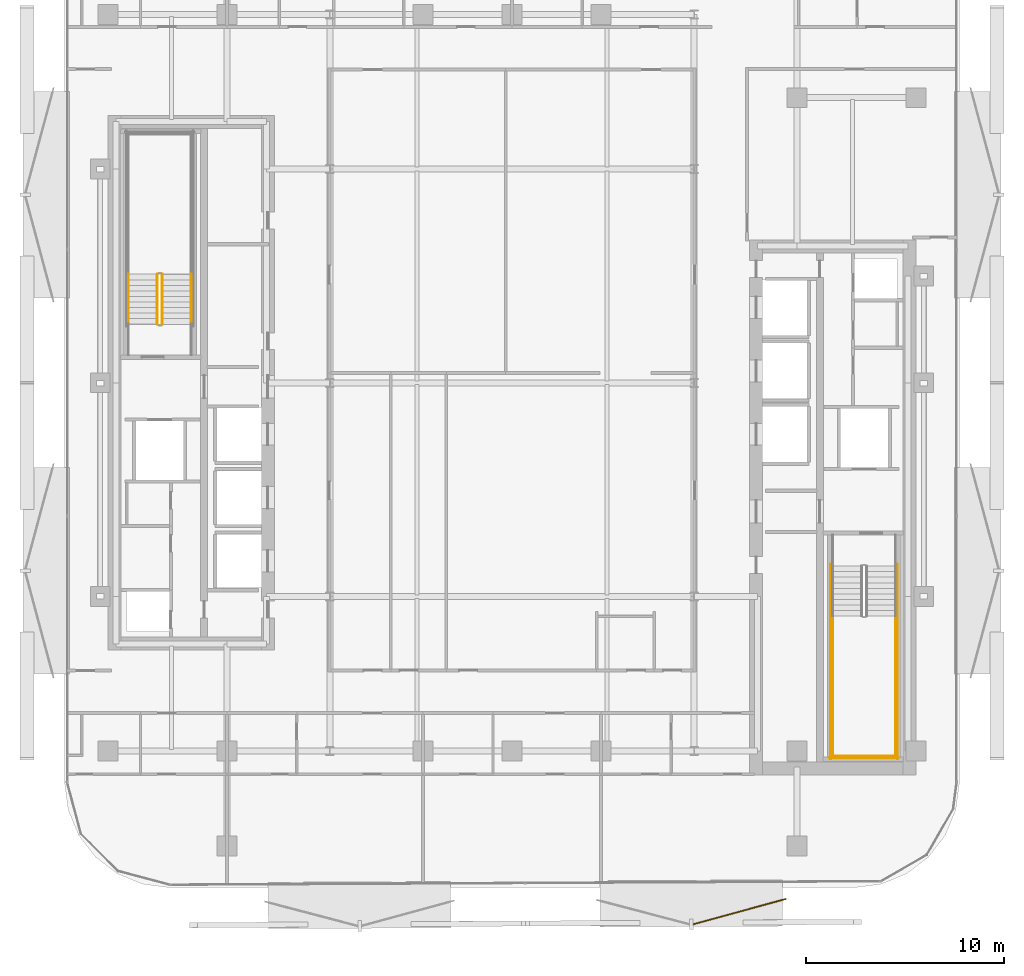
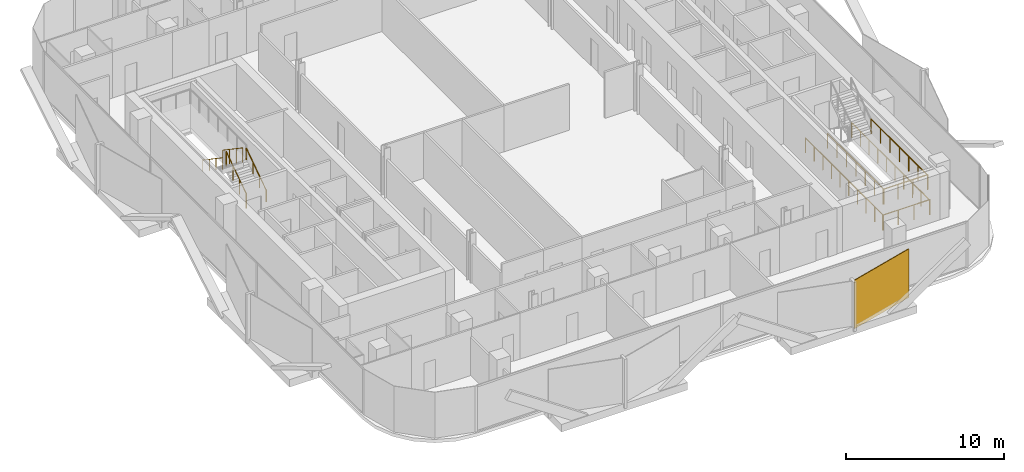
# One storey, part 14 of 17: 10 railings, 1 covering.
"""IFC4 building model written with IfcOpenShell, lengths in metres."""

from ifc_helpers import new_model, si_unit, direction, frame, origin, origin_2d, place, context, subcontext, project, spatial, rectangle, circle, extrude, material, layer, layer_set, type_object, element, save


model = new_model("IFC4")

# Units and contexts
model_context = context("Model", 3, precision=1e-05, world=origin(), true_north=direction((0.0, 1.0)))
body_context = subcontext(model_context, "Body", "Model", "MODEL_VIEW")
ifc_project = project(units=[si_unit("LENGTHUNIT", "METRE"), si_unit("AREAUNIT", "SQUARE_METRE"), si_unit("VOLUMEUNIT", "CUBIC_METRE"), si_unit("PLANEANGLEUNIT", "RADIAN"), si_unit("MASSUNIT", "GRAM", prefix="KILO")], contexts=[model_context])

# Site, building, storey
site_placement = place(None, origin())
site = spatial("IfcSite", under=ifc_project, at=site_placement, CompositionType="ELEMENT")
building_placement = place(site_placement, origin())
building = spatial("IfcBuilding", under=site, at=building_placement, Name="Khairoan Windgate Tower", CompositionType="ELEMENT")
storey_placement = place(building_placement, frame((0.0, 0.0, 180.199951171875)))
storey = spatial("IfcBuildingStorey", under=building, at=storey_placement, Name="L41", CompositionType="ELEMENT", Elevation=180.199951171875)

# Covering
ifc_material_1 = material(Name="Anodised Bronze Aluminium 6063-T6", Category="aluminium")
ifc_layer = layer(ifc_material_1, 0.054931640625, Name="Anodised Bronze Aluminium 6063-T6")
ifc_layer_set = layer_set([ifc_layer], Name="Anodised Bronze Aluminium 6063-T6")
covering_type = type_object("IfcCoveringType", Name="Perforated Bronze-Ceramic Folded Solar Screen Cladding BSC-1", PredefinedType="CLADDING", material=ifc_layer_set)
covering_placement = place(storey_placement, frame((11.498779296875, -26.708984375, -0.10009765625), z_axis=(0.0, 0.0, 1.0), x_axis=(-0.964649468762, -0.263536339841, 0.0)))
element("IfcCovering", 1, at=covering_placement, inside=storey, type_object=covering_type, Name="L41 Folded Bronze Solar Screen Facet 265L", PredefinedType="CLADDING", context=body_context, shape_type="SweptSolid", body=[
    extrude(rectangle(XDim=4.861083984375, YDim=0.054931640625, at=origin_2d()), origin(), (0.0, 0.0, 1.0), 3.739990234375),
])

# Railings
ifc_material_2 = material(Name="Anodised Bronze Aluminium 6063-T6", Category="aluminium")
railing_type_1 = type_object("IfcRailingType", Name="Stair Wall Handrail SHR-900", PredefinedType="HANDRAIL", material=ifc_material_2)
railing_1_placement = place(storey_placement, frame((-16.199951171875, 2.9599609375, 0.18994140625)))
element("IfcRailing", 2, at=railing_1_placement, inside=storey, type_object=railing_type_1, Name="L41 ST2 stair handrail 1", PredefinedType="HANDRAIL", context=body_context, shape_type="SweptSolid", body=[
    extrude(circle(Radius=0.02392578125, at=origin_2d()), frame((0.0, 0.0, 0.8759765625), z_axis=(0.0, 0.82744650838, 0.561544544778), x_axis=(-1.0, 0.0, 0.0)), (0.0, 0.0, 1.0), 3.045654296875),
    extrude(circle(Radius=0.02099609375, at=origin_2d()), origin(), (0.0, 0.0, 1.0), 0.851806640625),
    extrude(circle(Radius=0.02099609375, at=origin_2d()), frame((0.0, 0.840087890625, 0.570068359375)), (0.0, 0.0, 1.0), 0.851806640625),
    extrude(circle(Radius=0.02099609375, at=origin_2d()), frame((0.0, 1.679931640625, 1.14013671875)), (0.0, 0.0, 1.0), 0.851806640625),
    extrude(circle(Radius=0.02099609375, at=origin_2d()), frame((0.0, 2.52001953125, 1.710205078125)), (0.0, 0.0, 1.0), 0.851806640625),
])
railing_2_placement = place(storey_placement, frame((-19.3701171875, 5.47998046875, 2.090087890625)))
element("IfcRailing", 3, at=railing_2_placement, inside=storey, type_object=railing_type_1, Name="L41 ST2 stair handrail 2", PredefinedType="HANDRAIL", context=body_context, shape_type="SweptSolid", body=[
    extrude(circle(Radius=0.02392578125, at=origin_2d()), frame((0.0, 0.0, 0.8759765625), z_axis=(0.0, -0.827483756001, 0.561489655786), x_axis=(1.0, 0.0, 0.0)), (0.0, 0.0, 1.0), 3.04541015625),
    extrude(circle(Radius=0.02099609375, at=origin_2d()), origin(), (0.0, 0.0, 1.0), 0.851806640625),
    extrude(circle(Radius=0.02099609375, at=origin_2d()), frame((0.0, -0.840087890625, 0.570068359375)), (0.0, 0.0, 1.0), 0.851806640625),
    extrude(circle(Radius=0.02099609375, at=origin_2d()), frame((0.0, -1.679931640625, 1.139892578125)), (0.0, 0.0, 1.0), 0.851806640625),
    extrude(circle(Radius=0.02099609375, at=origin_2d()), frame((0.0, -2.52001953125, 1.7099609375)), (0.0, 0.0, 1.0), 0.851806640625),
])
ifc_material_3 = material(Name="Steel S355", Category="steel")
railing_type_2 = type_object("IfcRailingType", Name="Stairwell Safety Guardrail SGR-1150", PredefinedType="GUARDRAIL", material=ifc_material_3)
for number, where, name in (
    (4, (16.199951171875, -11.780029296875, 1.900146484375), "L41 ST1 stair guard 3"),
    (5, (19.3701171875, -11.780029296875, 1.900146484375), "L41 ST1 stair guard 4"),
):
    element("IfcRailing", number, at=place(storey_placement, frame(where)), inside=storey, type_object=railing_type_2, Name=name, PredefinedType="GUARDRAIL", context=body_context, shape_type="SweptSolid", body=[
        extrude(circle(Radius=0.02392578125, at=origin_2d()), frame((0.0, 0.0, 1.1259765625), z_axis=(0.0, -1.0, 0.0), x_axis=(1.0, 0.0, 0.0)), (0.0, 0.0, 1.0), 7.119873046875),
        extrude(circle(Radius=0.02099609375, at=origin_2d()), origin(), (0.0, 0.0, 1.0), 1.101806640625),
        extrude(circle(Radius=0.02099609375, at=origin_2d()), frame((0.0, -1.1865234375, 0.0)), (0.0, 0.0, 1.0), 1.101806640625),
        extrude(circle(Radius=0.02099609375, at=origin_2d()), frame((0.0, -2.373291015625, 0.0)), (0.0, 0.0, 1.0), 1.101806640625),
        extrude(circle(Radius=0.02099609375, at=origin_2d()), frame((0.0, -3.56005859375, 0.0)), (0.0, 0.0, 1.0), 1.101806640625),
        extrude(circle(Radius=0.02099609375, at=origin_2d()), frame((0.0, -4.74658203125, 0.0)), (0.0, 0.0, 1.0), 1.101806640625),
        extrude(circle(Radius=0.02099609375, at=origin_2d()), frame((0.0, -5.93310546875, 0.0)), (0.0, 0.0, 1.0), 1.101806640625),
        extrude(circle(Radius=0.02099609375, at=origin_2d()), frame((0.0, -7.119873046875, 0.0)), (0.0, 0.0, 1.0), 1.101806640625),
    ])
railing_3_placement = place(storey_placement, frame((16.14990234375, -18.85009765625, 1.900146484375)))
element("IfcRailing", 6, at=railing_3_placement, inside=storey, type_object=railing_type_2, Name="L41 ST1 stair guard 5", PredefinedType="GUARDRAIL", context=body_context, shape_type="SweptSolid", body=[
    extrude(circle(Radius=0.02392578125, at=origin_2d()), frame((0.0, 0.0, 1.1259765625), z_axis=(1.0, 0.0, 0.0), x_axis=(0.0, 1.0, 0.0)), (0.0, 0.0, 1.0), 3.27001953125),
    extrude(circle(Radius=0.02099609375, at=origin_2d()), origin(), (0.0, 0.0, 1.0), 1.101806640625),
    extrude(circle(Radius=0.02099609375, at=origin_2d()), frame((1.090087890625, 0.0, 0.0)), (0.0, 0.0, 1.0), 1.101806640625),
    extrude(circle(Radius=0.02099609375, at=origin_2d()), frame((2.179931640625, 0.0, 0.0)), (0.0, 0.0, 1.0), 1.101806640625),
    extrude(circle(Radius=0.02099609375, at=origin_2d()), frame((3.27001953125, 0.0, 0.0)), (0.0, 0.0, 1.0), 1.101806640625),
])
for number, where, name in (
    (7, (16.10009765625, -9.159912109375, 0.0), "L41 ST1 stair guard 10"),
    (8, (19.469970703125, -9.159912109375, 0.0), "L41 ST1 stair guard 11"),
):
    element("IfcRailing", number, at=place(storey_placement, frame(where)), inside=storey, type_object=railing_type_2, Name=name, PredefinedType="GUARDRAIL", context=body_context, shape_type="SweptSolid", body=[
        extrude(circle(Radius=0.02392578125, at=origin_2d()), frame((0.0, 0.0, 1.1259765625), z_axis=(0.0, -1.0, 0.0), x_axis=(1.0, 0.0, 0.0)), (0.0, 0.0, 1.0), 9.840087890625),
        extrude(circle(Radius=0.02099609375, at=origin_2d()), origin(), (0.0, 0.0, 1.0), 1.101806640625),
        extrude(circle(Radius=0.02099609375, at=origin_2d()), frame((0.0, -1.09326171875, 0.0)), (0.0, 0.0, 1.0), 1.101806640625),
        extrude(circle(Radius=0.02099609375, at=origin_2d()), frame((0.0, -2.186767578125, 0.0)), (0.0, 0.0, 1.0), 1.101806640625),
        extrude(circle(Radius=0.02099609375, at=origin_2d()), frame((0.0, -3.280029296875, 0.0)), (0.0, 0.0, 1.0), 1.101806640625),
        extrude(circle(Radius=0.02099609375, at=origin_2d()), frame((0.0, -4.373291015625, 0.0)), (0.0, 0.0, 1.0), 1.101806640625),
        extrude(circle(Radius=0.02099609375, at=origin_2d()), frame((0.0, -5.466796875, 0.0)), (0.0, 0.0, 1.0), 1.101806640625),
        extrude(circle(Radius=0.02099609375, at=origin_2d()), frame((0.0, -6.56005859375, 0.0)), (0.0, 0.0, 1.0), 1.101806640625),
        extrude(circle(Radius=0.02099609375, at=origin_2d()), frame((0.0, -7.6533203125, 0.0)), (0.0, 0.0, 1.0), 1.101806640625),
        extrude(circle(Radius=0.02099609375, at=origin_2d()), frame((0.0, -8.746826171875, 0.0)), (0.0, 0.0, 1.0), 1.101806640625),
        extrude(circle(Radius=0.02099609375, at=origin_2d()), frame((0.0, -9.840087890625, 0.0)), (0.0, 0.0, 1.0), 1.101806640625),
    ])
railing_4_placement = place(storey_placement, frame((16.050048828125, -18.949951171875, 0.0)))
element("IfcRailing", 9, at=railing_4_placement, inside=storey, type_object=railing_type_2, Name="L41 ST1 stair guard 12", PredefinedType="GUARDRAIL", context=body_context, shape_type="SweptSolid", body=[
    extrude(circle(Radius=0.02392578125, at=origin_2d()), frame((0.0, 0.0, 1.1259765625), z_axis=(1.0, 0.0, 0.0), x_axis=(0.0, 1.0, 0.0)), (0.0, 0.0, 1.0), 3.469970703125),
    extrude(circle(Radius=0.02099609375, at=origin_2d()), origin(), (0.0, 0.0, 1.0), 1.101806640625),
    extrude(circle(Radius=0.02099609375, at=origin_2d()), frame((1.15673828125, 0.0, 0.0)), (0.0, 0.0, 1.0), 1.101806640625),
    extrude(circle(Radius=0.02099609375, at=origin_2d()), frame((2.313232421875, 0.0, 0.0)), (0.0, 0.0, 1.0), 1.101806640625),
    extrude(circle(Radius=0.02099609375, at=origin_2d()), frame((3.469970703125, 0.0, 0.0)), (0.0, 0.0, 1.0), 1.101806640625),
])
railing_5_placement = place(storey_placement, frame((-17.659912109375, 2.9599609375, 0.18994140625)))
element("IfcRailing", 10, at=railing_5_placement, inside=storey, type_object=railing_type_2, Name="L41 ST2 stair guard 1", PredefinedType="GUARDRAIL", context=body_context, shape_type="SweptSolid", body=[
    extrude(circle(Radius=0.02392578125, at=origin_2d()), frame((0.0, 0.0, 1.1259765625), z_axis=(0.0, 0.82744650838, 0.561544544778), x_axis=(-1.0, 0.0, 0.0)), (0.0, 0.0, 1.0), 3.045654296875),
    extrude(circle(Radius=0.02099609375, at=origin_2d()), origin(), (0.0, 0.0, 1.0), 1.101806640625),
    extrude(circle(Radius=0.02099609375, at=origin_2d()), frame((0.0, 0.840087890625, 0.570068359375)), (0.0, 0.0, 1.0), 1.101806640625),
    extrude(circle(Radius=0.02099609375, at=origin_2d()), frame((0.0, 1.679931640625, 1.14013671875)), (0.0, 0.0, 1.0), 1.101806640625),
    extrude(circle(Radius=0.02099609375, at=origin_2d()), frame((0.0, 2.52001953125, 1.710205078125)), (0.0, 0.0, 1.0), 1.101806640625),
])
railing_6_placement = place(storey_placement, frame((-17.909912109375, 5.47998046875, 2.090087890625)))
element("IfcRailing", 11, at=railing_6_placement, inside=storey, type_object=railing_type_2, Name="L41 ST2 stair guard 6", PredefinedType="GUARDRAIL", context=body_context, shape_type="SweptSolid", body=[
    extrude(circle(Radius=0.02392578125, at=origin_2d()), frame((0.0, 0.0, 1.1259765625), z_axis=(0.0, -0.827483756001, 0.561489655786), x_axis=(1.0, 0.0, 0.0)), (0.0, 0.0, 1.0), 3.04541015625),
    extrude(circle(Radius=0.02099609375, at=origin_2d()), origin(), (0.0, 0.0, 1.0), 1.101806640625),
    extrude(circle(Radius=0.02099609375, at=origin_2d()), frame((0.0, -0.840087890625, 0.570068359375)), (0.0, 0.0, 1.0), 1.101806640625),
    extrude(circle(Radius=0.02099609375, at=origin_2d()), frame((0.0, -1.679931640625, 1.139892578125)), (0.0, 0.0, 1.0), 1.101806640625),
    extrude(circle(Radius=0.02099609375, at=origin_2d()), frame((0.0, -2.52001953125, 1.7099609375)), (0.0, 0.0, 1.0), 1.101806640625),
])

save(model, "model.ifc")
